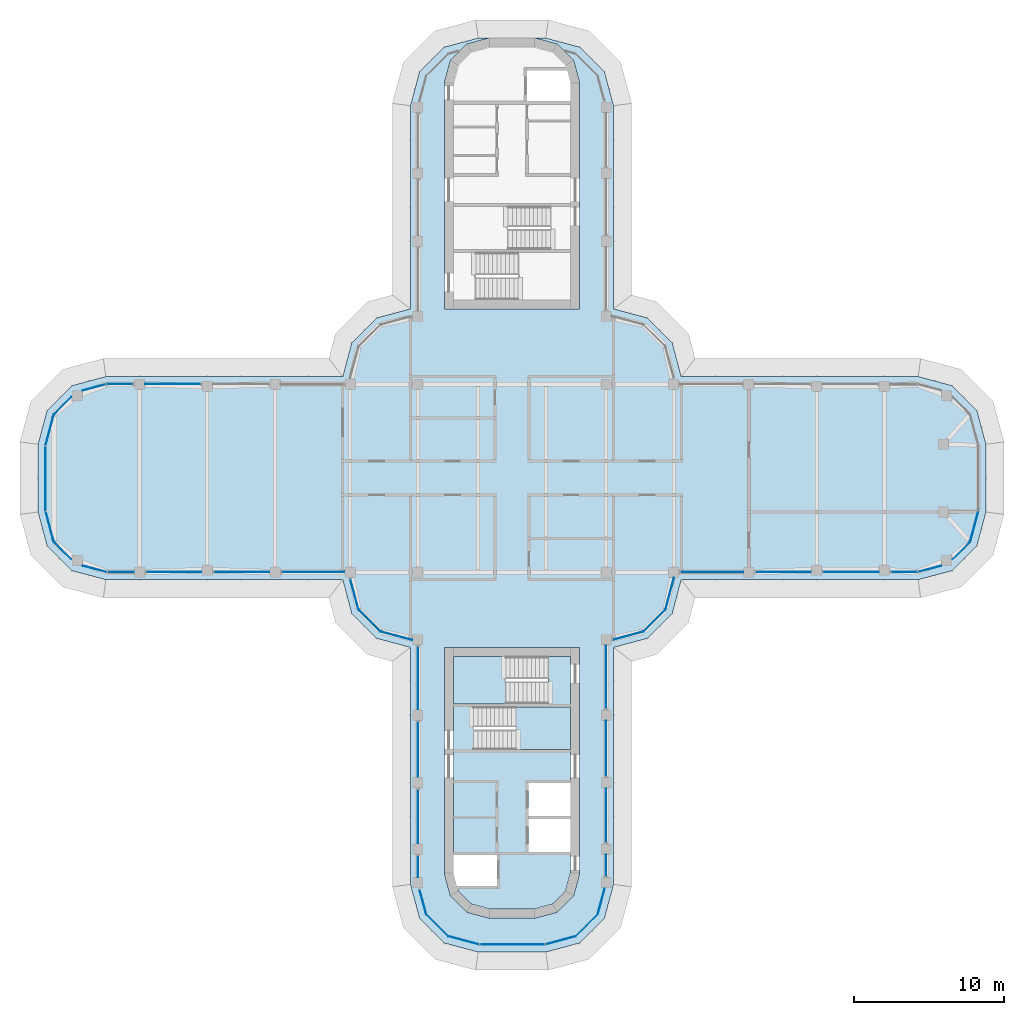
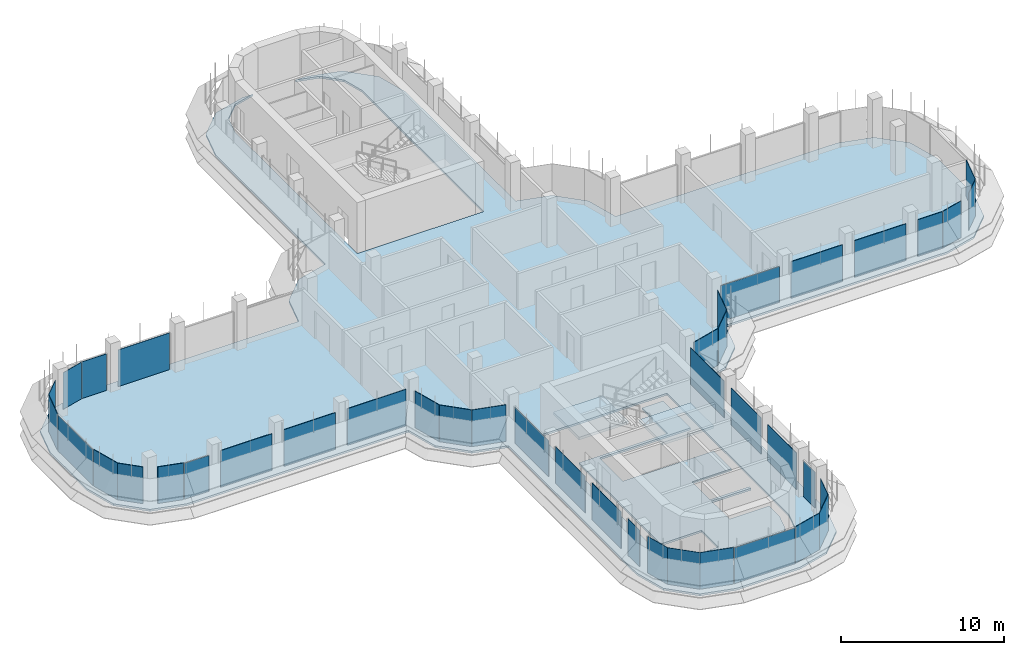
# One storey, part 11 of 19: 41 plates, 4 slabs, 30 elements without a shape of their own.
"""IFC4 building model written with IfcOpenShell, lengths in metres."""

from ifc_helpers import new_model, si_unit, direction, frame, origin, place, context, subcontext, project, spatial, polyline, outline, extrude, source, transform, mapped, material, layer, layer_set, type_object, element, aggregate, save


model = new_model("IFC4")

# Units and contexts
model_context = context("Model", 3, precision=1e-05, world=origin(), true_north=direction((0.0, 1.0)))
body_context = subcontext(model_context, "Body", "Model", "MODEL_VIEW")
ifc_project = project(units=[si_unit("LENGTHUNIT", "METRE"), si_unit("AREAUNIT", "SQUARE_METRE"), si_unit("VOLUMEUNIT", "CUBIC_METRE"), si_unit("PLANEANGLEUNIT", "RADIAN"), si_unit("MASSUNIT", "GRAM", prefix="KILO")], contexts=[model_context])

# Site, building, storey
site_placement = place(None, origin())
site = spatial("IfcSite", under=ifc_project, at=site_placement, CompositionType="ELEMENT")
building_placement = place(site_placement, origin())
building = spatial("IfcBuilding", under=site, at=building_placement, Name="Zarbagh Exchange Tower", CompositionType="ELEMENT")
storey_placement = place(building_placement, frame((0.0, 0.0, 225.800048828125)))
storey = spatial("IfcBuildingStorey", under=building, at=storey_placement, Name="L55", CompositionType="ELEMENT", Elevation=225.800048828125)

# Slabs
ifc_material_1 = material(Name="Concrete C40/50", Category="concrete")
ifc_layer_1 = layer(ifc_material_1, 0.14990234375)
ifc_layer_set_1 = layer_set([ifc_layer_1], Name="Composite floor slab 150 C40/50")
slab_type_1 = type_object("IfcSlabType", Name="Composite floor slab 150 C40/50", PredefinedType="FLOOR", material=ifc_layer_set_1)
slab_1_placement = place(storey_placement, frame((0.0, 0.0, -0.150146484375)))
element("IfcSlab", 1, at=slab_1_placement, inside=storey, type_object=slab_type_1, Name="S5 composite floor slab", PredefinedType="FLOOR", context=body_context, shape_type="SweptSolid", body=[
    extrude(outline(polyline([(-2.25, -31.5), (-4.5, -30.897216796875), (-6.147216796875, -29.25), (-6.75, -27.0), (-6.75, -11.25), (-9.0, -10.647216796875), (-10.647216796875, -9.0), (-11.25, -6.75), (-27.0, -6.75), (-29.25, -6.147216796875), (-30.897216796875, -4.5), (-31.5, -2.25), (-31.5, 2.25), (-30.897216796875, 4.5), (-29.25, 6.147216796875), (-27.0, 6.75), (-11.25, 6.75), (-10.647216796875, 9.0), (-9.0, 10.647216796875), (-6.75, 11.25), (-6.75, 24.75), (-6.147216796875, 27.0), (-4.5, 28.647216796875), (-2.25, 29.25), (-1.5, 29.25), (-3.0, 28.84814453125), (-4.09814453125, 27.75), (-4.5, 26.25), (-4.5, 11.25), (4.5, 11.25), (4.5, 26.25), (4.09814453125, 27.75), (3.0, 28.84814453125), (1.5, 29.25), (2.25, 29.25), (4.5, 28.647216796875), (6.147216796875, 27.0), (6.75, 24.75), (6.75, 11.25), (9.0, 10.647216796875), (10.647216796875, 9.0), (11.25, 6.75), (27.0, 6.75), (29.25, 6.147216796875), (30.897216796875, 4.5), (31.5, 2.25), (31.5, -2.25), (30.897216796875, -4.5), (29.25, -6.147216796875), (27.0, -6.75), (11.25, -6.75), (10.647216796875, -9.0), (9.0, -10.647216796875), (6.75, -11.25), (6.75, -27.0), (6.147216796875, -29.25), (4.5, -30.897216796875), (2.25, -31.5), (-2.25, -31.5)]), holes=[polyline([(-1.5, -29.25), (1.5, -29.25), (3.0, -28.84814453125), (4.09814453125, -27.75), (4.5, -26.25), (4.5, -11.25), (-4.5, -11.25), (-4.5, -26.25), (-4.09814453125, -27.75), (-3.0, -28.84814453125), (-1.5, -29.25)])]), origin(), (0.0, 0.0, 1.0), 0.150146484375),
])
ifc_layer_2 = layer(ifc_material_1, 0.14990234375)
ifc_layer_set_2 = layer_set([ifc_layer_2], Name="Core floor slab 150 C40/50")
slab_type_2 = type_object("IfcSlabType", Name="Core floor slab 150 C40/50", PredefinedType="FLOOR", material=ifc_layer_set_2)
slab_2_placement = place(storey_placement, frame((0.0, 0.0, -0.150146484375)))
element("IfcSlab", 2, at=slab_2_placement, inside=storey, type_object=slab_type_2, Name="S17 core S", PredefinedType="FLOOR", context=body_context, shape_type="SweptSolid", body=[
    extrude(outline(polyline([(-2.689453125, -28.31005859375), (-3.56005859375, -27.439453125), (-3.651123046875, -27.10009765625), (-1.0, -27.10009765625), (-1.0, -25.050048828125), (-3.89990234375, -25.050048828125), (-3.89990234375, -15.0), (2.39990234375, -15.0), (2.39990234375, -11.85009765625), (3.89990234375, -11.85009765625), (3.89990234375, -15.199951171875), (-2.550048828125, -15.199951171875), (-2.550048828125, -18.050048828125), (3.89990234375, -18.050048828125), (3.89990234375, -20.25), (1.10009765625, -20.25), (1.10009765625, -22.449951171875), (3.89990234375, -22.449951171875), (3.89990234375, -22.64990234375), (1.10009765625, -22.64990234375), (1.10009765625, -24.85009765625), (3.89990234375, -24.85009765625), (3.89990234375, -26.1708984375), (3.56005859375, -27.439453125), (2.689453125, -28.31005859375), (1.4208984375, -28.64990234375), (-1.4208984375, -28.64990234375), (-2.689453125, -28.31005859375)])), origin(), (0.0, 0.0, 1.0), 0.150146484375),
])

# Stair, slab
stair_type = type_object("IfcStairType", Name="Exit stair two-flight half-turn", PredefinedType="HALF_TURN_STAIR", material=ifc_material_1)
stair_1_placement = place(storey_placement, origin())
stair_1 = element("IfcStair", 3, at=stair_1_placement, inside=storey, type_object=stair_type, Name="exit stair ST3", PredefinedType="HALF_TURN_STAIR")
ifc_layer_3 = layer(ifc_material_1, 0.199951171875)
ifc_layer_set_3 = layer_set([ifc_layer_3], Name="Stair landing 200 mm")
slab_type_3 = type_object("IfcSlabType", Name="Stair landing 200 mm", PredefinedType="LANDING", material=ifc_layer_set_3)
slab_3_placement = place(storey_placement, frame((0.0, 0.0, 1.699951171875)))
slab_3 = element("IfcSlab", 4, at=slab_3_placement, type_object=slab_type_3, Name="ST3 landing 1", PredefinedType="LANDING", context=body_context, shape_type="SweptSolid", body=[
    extrude(outline(polyline([(0.25, -18.050048828125), (3.89990234375, -18.050048828125), (3.89990234375, -15.199951171875), (0.25, -15.199951171875), (0.25, -18.050048828125)])), origin(), (0.0, 0.0, 1.0), 0.199951171875),
])
aggregate(stair_1, [slab_3])

stair_2_placement = place(storey_placement, origin())
stair_2 = element("IfcStair", 5, at=stair_2_placement, inside=storey, type_object=stair_type, Name="exit stair ST4", PredefinedType="HALF_TURN_STAIR")
slab_4_placement = place(storey_placement, frame((0.0, 0.0, 1.699951171875)))
slab_4 = element("IfcSlab", 6, at=slab_4_placement, type_object=slab_type_3, Name="ST4 landing 1", PredefinedType="LANDING", context=body_context, shape_type="SweptSolid", body=[
    extrude(outline(polyline([(-0.39990234375, -11.85009765625), (-3.89990234375, -11.85009765625), (-3.89990234375, -15.0), (-0.39990234375, -15.0), (-0.39990234375, -11.85009765625)])), origin(), (0.0, 0.0, 1.0), 0.199951171875),
])
aggregate(stair_2, [slab_4])

# Curtain wall, plate
ifc_material_2 = material(Name="Anodised aluminium frame and glazing", Category="aluminium")
curtain_wall_type = type_object("IfcCurtainWallType", Name="CWB Ribbon glazing, upper zones", PredefinedType="NOTDEFINED", material=ifc_material_2)
curtain_wall_1_placement = place(storey_placement, origin())
curtain_wall_1 = element("IfcCurtainWall", 7, at=curtain_wall_1_placement, inside=storey, type_object=curtain_wall_type, Name="CWB50 curtain wall", PredefinedType="NOTDEFINED")
ifc_material_3 = material(Name="Low-e double glazed unit, 6+12+6 mm")
ifc_layer_4 = layer(ifc_material_3, 0.031982421875)
ifc_layer_set_4 = layer_set([ifc_layer_4], Name="PAB Glazing panel, Low-e double glazed unit, 6+12+6 mm")
plate_type = type_object("IfcPlateType", Name="PAB Glazing panel, Low-e double glazed unit, 6+12+6 mm", PredefinedType="CURTAIN_PANEL", material=ifc_layer_set_4)
shared_shape_1 = source(origin(), body_context, "Body", "SweptSolid", [
    extrude(outline(polyline([(0.0, -0.01611328125), (2.061279296875, -0.01611328125), (2.061279296875, 0.01611328125), (0.0, 0.01611328125), (0.0, -0.01611328125)])), origin(), (0.0, 0.0, 1.0), 2.75),
])
placement = place(storey_placement, origin())
plate_1 = element("IfcPlate", 8, at=placement, type_object=plate_type, Name="CWB50 glazing panel 1.1", PredefinedType="CURTAIN_PANEL", context=body_context, shape_type="MappedRepresentation", body=[
    mapped(shared_shape_1, transform((4.2412109375, -30.44873046875, 0.0), x_axis=(0.707106781187, 0.707106781187, 0.0), y_axis=(-0.707106781187, 0.707106781187, 0.0), z_axis=(0.0, 0.0, 1.0))),
])
aggregate(curtain_wall_1, [plate_1])

curtain_wall_2_placement = place(storey_placement, origin())
curtain_wall_2 = element("IfcCurtainWall", 9, at=curtain_wall_2_placement, inside=storey, type_object=curtain_wall_type, Name="CWB06 curtain wall", PredefinedType="NOTDEFINED")
plate_2 = element("IfcPlate", 10, at=placement, type_object=plate_type, Name="CWB06 glazing panel 1.1", PredefinedType="CURTAIN_PANEL", context=body_context, shape_type="MappedRepresentation", body=[
    mapped(shared_shape_1, transform((8.7412109375, -10.19873046875, 0.0), x_axis=(0.707106781187, 0.707106781187, 0.0), y_axis=(-0.707106781187, 0.707106781187, 0.0), z_axis=(0.0, 0.0, 1.0))),
])
aggregate(curtain_wall_2, [plate_2])

curtain_wall_3_placement = place(storey_placement, origin())
curtain_wall_3 = element("IfcCurtainWall", 11, at=curtain_wall_3_placement, inside=storey, type_object=curtain_wall_type, Name="CWB42 curtain wall", PredefinedType="NOTDEFINED")
plate_3 = element("IfcPlate", 12, at=placement, type_object=plate_type, Name="CWB42 glazing panel 1.1", PredefinedType="CURTAIN_PANEL", context=body_context, shape_type="MappedRepresentation", body=[
    mapped(shared_shape_1, transform((-10.19873046875, -8.7412109375, 0.0), x_axis=(0.707106781187, -0.707106781187, 0.0), y_axis=(0.707106781187, 0.707106781187, 0.0), z_axis=(0.0, 0.0, 1.0))),
])
aggregate(curtain_wall_3, [plate_3])

curtain_wall_4_placement = place(storey_placement, origin())
curtain_wall_4 = element("IfcCurtainWall", 13, at=curtain_wall_4_placement, inside=storey, type_object=curtain_wall_type, Name="CWB55 curtain wall", PredefinedType="NOTDEFINED")
plate_4 = element("IfcPlate", 14, at=placement, type_object=plate_type, Name="CWB55 glazing panel 1.1", PredefinedType="CURTAIN_PANEL", context=body_context, shape_type="MappedRepresentation", body=[
    mapped(shared_shape_1, transform((-5.69873046875, -28.9912109375, 0.0), x_axis=(0.707106781187, -0.707106781187, 0.0), y_axis=(0.707106781187, 0.707106781187, 0.0), z_axis=(0.0, 0.0, 1.0))),
])
aggregate(curtain_wall_4, [plate_4])

curtain_wall_5_placement = place(storey_placement, origin())
curtain_wall_5 = element("IfcCurtainWall", 15, at=curtain_wall_5_placement, inside=storey, type_object=curtain_wall_type, Name="CWB11 curtain wall", PredefinedType="NOTDEFINED")
shared_shape_2 = source(origin(), body_context, "Body", "SweptSolid", [
    extrude(outline(polyline([(0.0, -0.01611328125), (2.129638671875, -0.01611328125), (2.129638671875, 0.01611328125), (0.0, 0.01611328125), (0.0, -0.01611328125)])), origin(), (0.0, 0.0, 1.0), 2.75),
])
plate_5 = element("IfcPlate", 16, at=placement, type_object=plate_type, Name="CWB11 glazing panel 1.1", PredefinedType="CURTAIN_PANEL", context=body_context, shape_type="MappedRepresentation", body=[
    mapped(shared_shape_2, transform((30.44873046875, -4.2412109375, 0.0), x_axis=(0.258824779902, 0.965924289636, 0.0), y_axis=(-0.965924289636, 0.258824779902, 0.0), z_axis=(0.0, 0.0, 1.0))),
])
aggregate(curtain_wall_5, [plate_5])

curtain_wall_6_placement = place(storey_placement, origin())
curtain_wall_6 = element("IfcCurtainWall", 17, at=curtain_wall_6_placement, inside=storey, type_object=curtain_wall_type, Name="CWB61 curtain wall", PredefinedType="NOTDEFINED")
plate_6 = element("IfcPlate", 18, at=placement, type_object=plate_type, Name="CWB61 glazing panel 1.1", PredefinedType="CURTAIN_PANEL", context=body_context, shape_type="MappedRepresentation", body=[
    mapped(shared_shape_2, transform((-30.44873046875, 4.2412109375, 0.0), x_axis=(-0.258824779902, -0.965924289636, 0.0), y_axis=(0.965924289636, -0.258824779902, 0.0), z_axis=(0.0, 0.0, 1.0))),
])
aggregate(curtain_wall_6, [plate_6])

curtain_wall_7_placement = place(storey_placement, origin())
curtain_wall_7 = element("IfcCurtainWall", 19, at=curtain_wall_7_placement, inside=storey, type_object=curtain_wall_type, Name="CWB56 curtain wall", PredefinedType="NOTDEFINED")
plate_7 = element("IfcPlate", 20, at=placement, type_object=plate_type, Name="CWB56 glazing panel 1.1", PredefinedType="CURTAIN_PANEL", context=body_context, shape_type="MappedRepresentation", body=[
    mapped(shared_shape_2, transform((-4.2412109375, -30.44873046875, 0.0), x_axis=(0.965924289636, -0.258824779902, 0.0), y_axis=(0.258824779902, 0.965924289636, 0.0), z_axis=(0.0, 0.0, 1.0))),
])
aggregate(curtain_wall_7, [plate_7])

curtain_wall_8_placement = place(storey_placement, origin())
curtain_wall_8 = element("IfcCurtainWall", 21, at=curtain_wall_8_placement, inside=storey, type_object=curtain_wall_type, Name="CWB52 curtain wall", PredefinedType="NOTDEFINED")
shared_shape_3 = source(origin(), body_context, "Body", "SweptSolid", [
    extrude(outline(polyline([(0.0, -0.01611328125), (3.56005859375, -0.01611328125), (3.56005859375, 0.01611328125), (0.0, 0.01611328125), (0.0, -0.01611328125)])), origin(), (0.0, 0.0, 1.0), 2.75),
])
plate_8 = element("IfcPlate", 22, at=placement, type_object=plate_type, Name="CWB52 glazing panel 2.1", PredefinedType="CURTAIN_PANEL", context=body_context, shape_type="MappedRepresentation", body=[
    mapped(shared_shape_3, transform((6.25, -24.199951171875, 0.0), x_axis=(0.0, 1.0, 0.0), y_axis=(-1.0, 0.0, 0.0), z_axis=(0.0, 0.0, 1.0))),
])

curtain_wall_9_placement = place(storey_placement, origin())
curtain_wall_9 = element("IfcCurtainWall", 23, at=curtain_wall_9_placement, inside=storey, type_object=curtain_wall_type, Name="CWB53 curtain wall", PredefinedType="NOTDEFINED")
plate_9 = element("IfcPlate", 24, at=placement, type_object=plate_type, Name="CWB53 glazing panel 3.1", PredefinedType="CURTAIN_PANEL", context=body_context, shape_type="MappedRepresentation", body=[
    mapped(shared_shape_3, transform((-6.25, -20.699951171875, 0.0), x_axis=(0.0, -1.0, 0.0), y_axis=(1.0, 0.0, 0.0), z_axis=(0.0, 0.0, 1.0))),
])

curtain_wall_10_placement = place(storey_placement, origin())
curtain_wall_10 = element("IfcCurtainWall", 25, at=curtain_wall_10_placement, inside=storey, type_object=curtain_wall_type, Name="CWB66 curtain wall", PredefinedType="NOTDEFINED")
shared_shape_4 = source(origin(), body_context, "Body", "SweptSolid", [
    extrude(outline(polyline([(0.0, -0.01611328125), (4.308349609375, -0.01611328125), (4.308349609375, 0.01611328125), (0.0, 0.01611328125), (0.0, -0.01611328125)])), origin(), (0.0, 0.0, 1.0), 2.68994140625),
])
plate_10 = element("IfcPlate", 26, at=placement, type_object=plate_type, Name="CWB66 glazing panel 1.1", PredefinedType="CURTAIN_PANEL", context=body_context, shape_type="MappedRepresentation", body=[
    mapped(shared_shape_4, transform((-31.0, 2.124267578125, 0.0), x_axis=(0.0, -1.0, 0.0), y_axis=(1.0, 0.0, 0.0), z_axis=(0.0, 0.0, 1.0))),
])
aggregate(curtain_wall_10, [plate_10])

curtain_wall_11_placement = place(storey_placement, origin())
curtain_wall_11 = element("IfcCurtainWall", 27, at=curtain_wall_11_placement, inside=storey, type_object=curtain_wall_type, Name="CWB57 curtain wall", PredefinedType="NOTDEFINED")
plate_11 = element("IfcPlate", 28, at=placement, type_object=plate_type, Name="CWB57 glazing panel 1.1", PredefinedType="CURTAIN_PANEL", context=body_context, shape_type="MappedRepresentation", body=[
    mapped(shared_shape_4, transform((-2.124267578125, -31.0, 0.0), x_axis=(1.0, 0.0, 0.0), y_axis=(0.0, 1.0, 0.0), z_axis=(0.0, 0.0, 1.0))),
])
aggregate(curtain_wall_11, [plate_11])

curtain_wall_12_placement = place(storey_placement, origin())
curtain_wall_12 = element("IfcCurtainWall", 29, at=curtain_wall_12_placement, inside=storey, type_object=curtain_wall_type, Name="CWB49 curtain wall", PredefinedType="NOTDEFINED")
shared_shape_5 = source(origin(), body_context, "Body", "SweptSolid", [
    extrude(outline(polyline([(0.0, -0.01611328125), (2.069580078125, -0.01611328125), (2.069580078125, 0.01611328125), (0.0, 0.01611328125), (0.0, -0.01611328125)])), origin(), (0.0, 0.0, 1.0), 2.75),
])
plate_12 = element("IfcPlate", 30, at=placement, type_object=plate_type, Name="CWB49 glazing panel 1.1", PredefinedType="CURTAIN_PANEL", context=body_context, shape_type="MappedRepresentation", body=[
    mapped(shared_shape_5, transform((2.2421875, -30.984375, 0.0), x_axis=(0.965924289636, 0.258824779902, 0.0), y_axis=(-0.258824779902, 0.965924289636, 0.0), z_axis=(0.0, 0.0, 1.0))),
])
aggregate(curtain_wall_12, [plate_12])

curtain_wall_13_placement = place(storey_placement, origin())
curtain_wall_13 = element("IfcCurtainWall", 31, at=curtain_wall_13_placement, inside=storey, type_object=curtain_wall_type, Name="CWB62 curtain wall", PredefinedType="NOTDEFINED")
plate_13 = element("IfcPlate", 32, at=placement, type_object=plate_type, Name="CWB62 glazing panel 1.1", PredefinedType="CURTAIN_PANEL", context=body_context, shape_type="MappedRepresentation", body=[
    mapped(shared_shape_5, transform((-30.984375, -2.2421875, 0.0), x_axis=(0.258824779902, -0.965924289636, 0.0), y_axis=(0.965924289636, 0.258824779902, 0.0), z_axis=(0.0, 0.0, 1.0))),
])
aggregate(curtain_wall_13, [plate_13])

curtain_wall_14_placement = place(storey_placement, origin())
curtain_wall_14 = element("IfcCurtainWall", 33, at=curtain_wall_14_placement, inside=storey, type_object=curtain_wall_type, Name="CWB51 curtain wall", PredefinedType="NOTDEFINED")
shared_shape_6 = source(origin(), body_context, "Body", "SweptSolid", [
    extrude(outline(polyline([(0.0, -0.01611328125), (1.76123046875, -0.01611328125), (1.76123046875, 0.01611328125), (0.0, 0.01611328125), (0.0, -0.01611328125)])), origin(), (0.0, 0.0, 1.0), 2.75),
])
plate_14 = element("IfcPlate", 34, at=placement, type_object=plate_type, Name="CWB51 glazing panel 1.1", PredefinedType="CURTAIN_PANEL", context=body_context, shape_type="MappedRepresentation", body=[
    mapped(shared_shape_6, transform((5.69873046875, -28.9912109375, 0.0), x_axis=(0.258824779902, 0.965924289636, 0.0), y_axis=(-0.965924289636, 0.258824779902, 0.0), z_axis=(0.0, 0.0, 1.0))),
])
aggregate(curtain_wall_14, [plate_14])

# Plate
shared_shape_7 = source(origin(), body_context, "Body", "SweptSolid", [
    extrude(outline(polyline([(0.0, -0.01611328125), (1.409912109375, -0.01611328125), (1.409912109375, 0.01611328125), (0.0, 0.01611328125), (0.0, -0.01611328125)])), origin(), (0.0, 0.0, 1.0), 2.68994140625),
])
plate_15 = element("IfcPlate", 35, at=placement, type_object=plate_type, Name="CWB52 glazing panel 1.1", PredefinedType="CURTAIN_PANEL", context=body_context, shape_type="MappedRepresentation", body=[
    mapped(shared_shape_7, transform((6.25, -26.449951171875, 0.0), x_axis=(0.0, 1.0, 0.0), y_axis=(-1.0, 0.0, 0.0), z_axis=(0.0, 0.0, 1.0))),
])

shared_shape_8 = source(origin(), body_context, "Body", "SweptSolid", [
    extrude(outline(polyline([(0.0, -0.01611328125), (3.659912109375, -0.01611328125), (3.659912109375, 0.01611328125), (0.0, 0.01611328125), (0.0, -0.01611328125)])), origin(), (0.0, 0.0, 1.0), 2.75),
])
plate_16 = element("IfcPlate", 36, at=placement, type_object=plate_type, Name="CWB52 glazing panel 3.1", PredefinedType="CURTAIN_PANEL", context=body_context, shape_type="MappedRepresentation", body=[
    mapped(shared_shape_8, transform((6.25, -19.800048828125, 0.0), x_axis=(0.0, 1.0, 0.0), y_axis=(-1.0, 0.0, 0.0), z_axis=(0.0, 0.0, 1.0))),
])

# Curtain wall, plates
curtain_wall_15_placement = place(storey_placement, origin())
curtain_wall_15 = element("IfcCurtainWall", 37, at=curtain_wall_15_placement, inside=storey, type_object=curtain_wall_type, Name="CWB08 curtain wall", PredefinedType="NOTDEFINED")
plate_17 = element("IfcPlate", 38, at=placement, type_object=plate_type, Name="CWB08 glazing panel 2.1", PredefinedType="CURTAIN_PANEL", context=body_context, shape_type="MappedRepresentation", body=[
    mapped(shared_shape_8, transform((16.199951171875, -6.25, 0.0), x_axis=(1.0, 0.0, 0.0), y_axis=(0.0, 1.0, 0.0), z_axis=(0.0, 0.0, 1.0))),
])
plate_18 = element("IfcPlate", 39, at=placement, type_object=plate_type, Name="CWB08 glazing panel 3.1", PredefinedType="CURTAIN_PANEL", context=body_context, shape_type="MappedRepresentation", body=[
    mapped(shared_shape_8, transform((20.699951171875, -6.25, 0.0), x_axis=(1.0, 0.0, 0.0), y_axis=(0.0, 1.0, 0.0), z_axis=(0.0, 0.0, 1.0))),
])

# Curtain wall, plate
curtain_wall_16_placement = place(storey_placement, origin())
curtain_wall_16 = element("IfcCurtainWall", 40, at=curtain_wall_16_placement, inside=storey, type_object=curtain_wall_type, Name="CWB58 curtain wall", PredefinedType="NOTDEFINED")
plate_19 = element("IfcPlate", 41, at=placement, type_object=plate_type, Name="CWB58 glazing panel 3.1", PredefinedType="CURTAIN_PANEL", context=body_context, shape_type="MappedRepresentation", body=[
    mapped(shared_shape_8, transform((-20.699951171875, 6.25, 0.0), x_axis=(-1.0, 0.0, 0.0), y_axis=(0.0, -1.0, 0.0), z_axis=(0.0, 0.0, 1.0))),
])

# Curtain wall, plates
curtain_wall_17_placement = place(storey_placement, origin())
curtain_wall_17 = element("IfcCurtainWall", 42, at=curtain_wall_17_placement, inside=storey, type_object=curtain_wall_type, Name="CWB65 curtain wall", PredefinedType="NOTDEFINED")
plate_20 = element("IfcPlate", 43, at=placement, type_object=plate_type, Name="CWB65 glazing panel 2.1", PredefinedType="CURTAIN_PANEL", context=body_context, shape_type="MappedRepresentation", body=[
    mapped(shared_shape_8, transform((-24.300048828125, -6.25, 0.0), x_axis=(1.0, 0.0, 0.0), y_axis=(0.0, 1.0, 0.0), z_axis=(0.0, 0.0, 1.0))),
])
plate_21 = element("IfcPlate", 44, at=placement, type_object=plate_type, Name="CWB65 glazing panel 3.1", PredefinedType="CURTAIN_PANEL", context=body_context, shape_type="MappedRepresentation", body=[
    mapped(shared_shape_8, transform((-19.800048828125, -6.25, 0.0), x_axis=(1.0, 0.0, 0.0), y_axis=(0.0, 1.0, 0.0), z_axis=(0.0, 0.0, 1.0))),
])

# Plate
plate_22 = element("IfcPlate", 45, at=placement, type_object=plate_type, Name="CWB53 glazing panel 2.1", PredefinedType="CURTAIN_PANEL", context=body_context, shape_type="MappedRepresentation", body=[
    mapped(shared_shape_8, transform((-6.25, -16.199951171875, 0.0), x_axis=(0.0, -1.0, 0.0), y_axis=(1.0, 0.0, 0.0), z_axis=(0.0, 0.0, 1.0))),
])

shared_shape_9 = source(origin(), body_context, "Body", "SweptSolid", [
    extrude(outline(polyline([(0.0, -0.01611328125), (4.159912109375, -0.01611328125), (4.159912109375, 0.01611328125), (0.0, 0.01611328125), (0.0, -0.01611328125)])), origin(), (0.0, 0.0, 1.0), 2.75),
])
plate_23 = element("IfcPlate", 46, at=placement, type_object=plate_type, Name="CWB52 glazing panel 4.1", PredefinedType="CURTAIN_PANEL", context=body_context, shape_type="MappedRepresentation", body=[
    mapped(shared_shape_9, transform((6.25, -15.300048828125, 0.0), x_axis=(0.0, 1.0, 0.0), y_axis=(-1.0, 0.0, 0.0), z_axis=(0.0, 0.0, 1.0))),
])

aggregate(curtain_wall_8, [plate_15, plate_8, plate_16, plate_23])

plate_24 = element("IfcPlate", 47, at=placement, type_object=plate_type, Name="CWB65 glazing panel 4.1", PredefinedType="CURTAIN_PANEL", context=body_context, shape_type="MappedRepresentation", body=[
    mapped(shared_shape_9, transform((-15.300048828125, -6.25, 0.0), x_axis=(1.0, 0.0, 0.0), y_axis=(0.0, 1.0, 0.0), z_axis=(0.0, 0.0, 1.0))),
])

# Curtain wall, plate
curtain_wall_18_placement = place(storey_placement, origin())
curtain_wall_18 = element("IfcCurtainWall", 48, at=curtain_wall_18_placement, inside=storey, type_object=curtain_wall_type, Name="CWB05 curtain wall", PredefinedType="NOTDEFINED")
shared_shape_10 = source(origin(), body_context, "Body", "SweptSolid", [
    extrude(outline(polyline([(0.0, -0.01611328125), (2.115234375, -0.01611328125), (2.115234375, 0.01611328125), (0.0, 0.01611328125), (0.0, -0.01611328125)])), origin(), (0.0, 0.0, 1.0), 2.75),
])
plate_25 = element("IfcPlate", 49, at=placement, type_object=plate_type, Name="CWB05 glazing panel 1.1", PredefinedType="CURTAIN_PANEL", context=body_context, shape_type="MappedRepresentation", body=[
    mapped(shared_shape_10, transform((6.697998046875, -10.746337890625, 0.0), x_axis=(0.965924289636, 0.258824779902, 0.0), y_axis=(-0.258824779902, 0.965924289636, 0.0), z_axis=(0.0, 0.0, 1.0))),
])
aggregate(curtain_wall_18, [plate_25])

curtain_wall_19_placement = place(storey_placement, origin())
curtain_wall_19 = element("IfcCurtainWall", 50, at=curtain_wall_19_placement, inside=storey, type_object=curtain_wall_type, Name="CWB41 curtain wall", PredefinedType="NOTDEFINED")
plate_26 = element("IfcPlate", 51, at=placement, type_object=plate_type, Name="CWB41 glazing panel 1.1", PredefinedType="CURTAIN_PANEL", context=body_context, shape_type="MappedRepresentation", body=[
    mapped(shared_shape_10, transform((-10.746337890625, -6.697998046875, 0.0), x_axis=(0.258824779902, -0.965924289636, 0.0), y_axis=(0.965924289636, 0.258824779902, 0.0), z_axis=(0.0, 0.0, 1.0))),
])
aggregate(curtain_wall_19, [plate_26])

curtain_wall_20_placement = place(storey_placement, origin())
curtain_wall_20 = element("IfcCurtainWall", 52, at=curtain_wall_20_placement, inside=storey, type_object=curtain_wall_type, Name="CWB07 curtain wall", PredefinedType="NOTDEFINED")
shared_shape_11 = source(origin(), body_context, "Body", "SweptSolid", [
    extrude(outline(polyline([(0.0, -0.01611328125), (2.17529296875, -0.01611328125), (2.17529296875, 0.01611328125), (0.0, 0.01611328125), (0.0, -0.01611328125)])), origin(), (0.0, 0.0, 1.0), 2.75),
])
plate_27 = element("IfcPlate", 53, at=placement, type_object=plate_type, Name="CWB07 glazing panel 1.1", PredefinedType="CURTAIN_PANEL", context=body_context, shape_type="MappedRepresentation", body=[
    mapped(shared_shape_11, transform((10.19873046875, -8.7412109375, 0.0), x_axis=(0.258824779902, 0.965924289636, 0.0), y_axis=(-0.965924289636, 0.258824779902, 0.0), z_axis=(0.0, 0.0, 1.0))),
])
aggregate(curtain_wall_20, [plate_27])

curtain_wall_21_placement = place(storey_placement, origin())
curtain_wall_21 = element("IfcCurtainWall", 54, at=curtain_wall_21_placement, inside=storey, type_object=curtain_wall_type, Name="CWB43 curtain wall", PredefinedType="NOTDEFINED")
plate_28 = element("IfcPlate", 55, at=placement, type_object=plate_type, Name="CWB43 glazing panel 1.1", PredefinedType="CURTAIN_PANEL", context=body_context, shape_type="MappedRepresentation", body=[
    mapped(shared_shape_11, transform((-8.7412109375, -10.19873046875, 0.0), x_axis=(0.965924289636, -0.258824779902, 0.0), y_axis=(0.258824779902, 0.965924289636, 0.0), z_axis=(0.0, 0.0, 1.0))),
])
aggregate(curtain_wall_21, [plate_28])

# Plate
shared_shape_12 = source(origin(), body_context, "Body", "SweptSolid", [
    extrude(outline(polyline([(0.0, -0.01611328125), (4.159912109375, -0.01611328125), (4.159912109375, 0.01611328125), (0.0, 0.01611328125), (0.0, -0.01611328125)])), origin(), (0.0, 0.0, 1.0), 2.68994140625),
])
plate_29 = element("IfcPlate", 56, at=placement, type_object=plate_type, Name="CWB08 glazing panel 1.1", PredefinedType="CURTAIN_PANEL", context=body_context, shape_type="MappedRepresentation", body=[
    mapped(shared_shape_12, transform((11.199951171875, -6.25, 0.0), x_axis=(1.0, 0.0, 0.0), y_axis=(0.0, 1.0, 0.0), z_axis=(0.0, 0.0, 1.0))),
])

plate_30 = element("IfcPlate", 57, at=placement, type_object=plate_type, Name="CWB53 glazing panel 1.1", PredefinedType="CURTAIN_PANEL", context=body_context, shape_type="MappedRepresentation", body=[
    mapped(shared_shape_12, transform((-6.25, -11.199951171875, 0.0), x_axis=(0.0, -1.0, 0.0), y_axis=(1.0, 0.0, 0.0), z_axis=(0.0, 0.0, 1.0))),
])

shared_shape_13 = source(origin(), body_context, "Body", "SweptSolid", [
    extrude(outline(polyline([(0.0, -0.01611328125), (1.734130859375, -0.01611328125), (1.734130859375, 0.01611328125), (0.0, 0.01611328125), (0.0, -0.01611328125)])), origin(), (0.0, 0.0, 1.0), 2.75),
])
plate_31 = element("IfcPlate", 58, at=placement, type_object=plate_type, Name="CWB08 glazing panel 4.1", PredefinedType="CURTAIN_PANEL", context=body_context, shape_type="MappedRepresentation", body=[
    mapped(shared_shape_13, transform((25.199951171875, -6.25, 0.0), x_axis=(1.0, 0.0, 0.0), y_axis=(0.0, 1.0, 0.0), z_axis=(0.0, 0.0, 1.0))),
])

aggregate(curtain_wall_15, [plate_29, plate_17, plate_18, plate_31])

plate_32 = element("IfcPlate", 59, at=placement, type_object=plate_type, Name="CWB58 glazing panel 4.1", PredefinedType="CURTAIN_PANEL", context=body_context, shape_type="MappedRepresentation", body=[
    mapped(shared_shape_13, transform((-25.199951171875, 6.25, 0.0), x_axis=(-1.0, 0.0, 0.0), y_axis=(0.0, -1.0, 0.0), z_axis=(0.0, 0.0, 1.0))),
])

aggregate(curtain_wall_16, [plate_19, plate_32])

# Curtain wall, plate
curtain_wall_22_placement = place(storey_placement, origin())
curtain_wall_22 = element("IfcCurtainWall", 60, at=curtain_wall_22_placement, inside=storey, type_object=curtain_wall_type, Name="CWB09 curtain wall", PredefinedType="NOTDEFINED")
shared_shape_14 = source(origin(), body_context, "Body", "SweptSolid", [
    extrude(outline(polyline([(0.0, -0.01611328125), (1.57958984375, -0.01611328125), (1.57958984375, 0.01611328125), (0.0, 0.01611328125), (0.0, -0.01611328125)])), origin(), (0.0, 0.0, 1.0), 2.75),
])
plate_33 = element("IfcPlate", 61, at=placement, type_object=plate_type, Name="CWB09 glazing panel 1.1", PredefinedType="CURTAIN_PANEL", context=body_context, shape_type="MappedRepresentation", body=[
    mapped(shared_shape_14, transform((26.9921875, -6.234375, 0.0), x_axis=(0.965924289636, 0.258824779902, 0.0), y_axis=(-0.258824779902, 0.965924289636, 0.0), z_axis=(0.0, 0.0, 1.0))),
])
aggregate(curtain_wall_22, [plate_33])

curtain_wall_23_placement = place(storey_placement, origin())
curtain_wall_23 = element("IfcCurtainWall", 62, at=curtain_wall_23_placement, inside=storey, type_object=curtain_wall_type, Name="CWB59 curtain wall", PredefinedType="NOTDEFINED")
plate_34 = element("IfcPlate", 63, at=placement, type_object=plate_type, Name="CWB59 glazing panel 1.1", PredefinedType="CURTAIN_PANEL", context=body_context, shape_type="MappedRepresentation", body=[
    mapped(shared_shape_14, transform((-26.9921875, 6.234375, 0.0), x_axis=(-0.965924289636, -0.258824779902, 0.0), y_axis=(0.258824779902, -0.965924289636, 0.0), z_axis=(0.0, 0.0, 1.0))),
])
aggregate(curtain_wall_23, [plate_34])

curtain_wall_24_placement = place(storey_placement, origin())
curtain_wall_24 = element("IfcCurtainWall", 64, at=curtain_wall_24_placement, inside=storey, type_object=curtain_wall_type, Name="CWB10 curtain wall", PredefinedType="NOTDEFINED")
shared_shape_15 = source(origin(), body_context, "Body", "SweptSolid", [
    extrude(outline(polyline([(0.0, -0.01611328125), (1.62744140625, -0.01611328125), (1.62744140625, 0.01611328125), (0.0, 0.01611328125), (0.0, -0.01611328125)])), origin(), (0.0, 0.0, 1.0), 2.75),
])
plate_35 = element("IfcPlate", 65, at=placement, type_object=plate_type, Name="CWB10 glazing panel 1.1", PredefinedType="CURTAIN_PANEL", context=body_context, shape_type="MappedRepresentation", body=[
    mapped(shared_shape_15, transform((29.298095703125, -5.39208984375, 0.0), x_axis=(0.707106781187, 0.707106781187, 0.0), y_axis=(-0.707106781187, 0.707106781187, 0.0), z_axis=(0.0, 0.0, 1.0))),
])
aggregate(curtain_wall_24, [plate_35])

curtain_wall_25_placement = place(storey_placement, origin())
curtain_wall_25 = element("IfcCurtainWall", 66, at=curtain_wall_25_placement, inside=storey, type_object=curtain_wall_type, Name="CWB60 curtain wall", PredefinedType="NOTDEFINED")
plate_36 = element("IfcPlate", 67, at=placement, type_object=plate_type, Name="CWB60 glazing panel 1.1", PredefinedType="CURTAIN_PANEL", context=body_context, shape_type="MappedRepresentation", body=[
    mapped(shared_shape_15, transform((-29.298095703125, 5.39208984375, 0.0), x_axis=(-0.707106781187, -0.707106781187, 0.0), y_axis=(0.707106781187, -0.707106781187, 0.0), z_axis=(0.0, 0.0, 1.0))),
])
aggregate(curtain_wall_25, [plate_36])

curtain_wall_26_placement = place(storey_placement, origin())
curtain_wall_26 = element("IfcCurtainWall", 68, at=curtain_wall_26_placement, inside=storey, type_object=curtain_wall_type, Name="CWB63 curtain wall", PredefinedType="NOTDEFINED")
plate_37 = element("IfcPlate", 69, at=placement, type_object=plate_type, Name="CWB63 glazing panel 1.1", PredefinedType="CURTAIN_PANEL", context=body_context, shape_type="MappedRepresentation", body=[
    mapped(shared_shape_15, transform((-30.44873046875, -4.2412109375, 0.0), x_axis=(0.707106781187, -0.707106781187, 0.0), y_axis=(0.707106781187, 0.707106781187, 0.0), z_axis=(0.0, 0.0, 1.0))),
])
aggregate(curtain_wall_26, [plate_37])

curtain_wall_27_placement = place(storey_placement, origin())
curtain_wall_27 = element("IfcCurtainWall", 70, at=curtain_wall_27_placement, inside=storey, type_object=curtain_wall_type, Name="CWB64 curtain wall", PredefinedType="NOTDEFINED")
shared_shape_16 = source(origin(), body_context, "Body", "SweptSolid", [
    extrude(outline(polyline([(0.0, -0.01611328125), (1.6396484375, -0.01611328125), (1.6396484375, 0.01611328125), (0.0, 0.01611328125), (0.0, -0.01611328125)])), origin(), (0.0, 0.0, 1.0), 2.75),
])
plate_38 = element("IfcPlate", 71, at=placement, type_object=plate_type, Name="CWB64 glazing panel 1.1", PredefinedType="CURTAIN_PANEL", context=body_context, shape_type="MappedRepresentation", body=[
    mapped(shared_shape_16, transform((-28.51806640625, -5.82568359375, 0.0), x_axis=(0.965924289636, -0.258824779902, 0.0), y_axis=(0.258824779902, 0.965924289636, 0.0), z_axis=(0.0, 0.0, 1.0))),
])
aggregate(curtain_wall_27, [plate_38])

# Plate
shared_shape_17 = source(origin(), body_context, "Body", "SweptSolid", [
    extrude(outline(polyline([(0.0, -0.01611328125), (1.734130859375, -0.01611328125), (1.734130859375, 0.01611328125), (0.0, 0.01611328125), (0.0, -0.01611328125)])), origin(), (0.0, 0.0, 1.0), 2.68994140625),
])
plate_39 = element("IfcPlate", 72, at=placement, type_object=plate_type, Name="CWB65 glazing panel 1.1", PredefinedType="CURTAIN_PANEL", context=body_context, shape_type="MappedRepresentation", body=[
    mapped(shared_shape_17, transform((-26.874267578125, -6.25, 0.0), x_axis=(1.0, 0.0, 0.0), y_axis=(0.0, 1.0, 0.0), z_axis=(0.0, 0.0, 1.0))),
])

aggregate(curtain_wall_17, [plate_39, plate_20, plate_21, plate_24])

shared_shape_18 = source(origin(), body_context, "Body", "SweptSolid", [
    extrude(outline(polyline([(0.0, -0.01611328125), (1.409912109375, -0.01611328125), (1.409912109375, 0.01611328125), (0.0, 0.01611328125), (0.0, -0.01611328125)])), origin(), (0.0, 0.0, 1.0), 2.75),
])
plate_40 = element("IfcPlate", 73, at=placement, type_object=plate_type, Name="CWB53 glazing panel 4.1", PredefinedType="CURTAIN_PANEL", context=body_context, shape_type="MappedRepresentation", body=[
    mapped(shared_shape_18, transform((-6.25, -25.10009765625, 0.0), x_axis=(0.0, -1.0, 0.0), y_axis=(1.0, 0.0, 0.0), z_axis=(0.0, 0.0, 1.0))),
])

aggregate(curtain_wall_9, [plate_30, plate_22, plate_9, plate_40])

# Curtain wall, plate
curtain_wall_28_placement = place(storey_placement, origin())
curtain_wall_28 = element("IfcCurtainWall", 74, at=curtain_wall_28_placement, inside=storey, type_object=curtain_wall_type, Name="CWB54 curtain wall", PredefinedType="NOTDEFINED")
shared_shape_19 = source(origin(), body_context, "Body", "SweptSolid", [
    extrude(outline(polyline([(0.0, -0.01611328125), (1.701171875, -0.01611328125), (1.701171875, 0.01611328125), (0.0, 0.01611328125), (0.0, -0.01611328125)])), origin(), (0.0, 0.0, 1.0), 2.75),
])
plate_41 = element("IfcPlate", 75, at=placement, type_object=plate_type, Name="CWB54 glazing panel 1.1", PredefinedType="CURTAIN_PANEL", context=body_context, shape_type="MappedRepresentation", body=[
    mapped(shared_shape_19, transform((-6.13916015625, -27.347900390625, 0.0), x_axis=(0.258824779902, -0.965924289636, 0.0), y_axis=(0.965924289636, 0.258824779902, 0.0), z_axis=(0.0, 0.0, 1.0))),
])
aggregate(curtain_wall_28, [plate_41])

save(model, "model.ifc")
